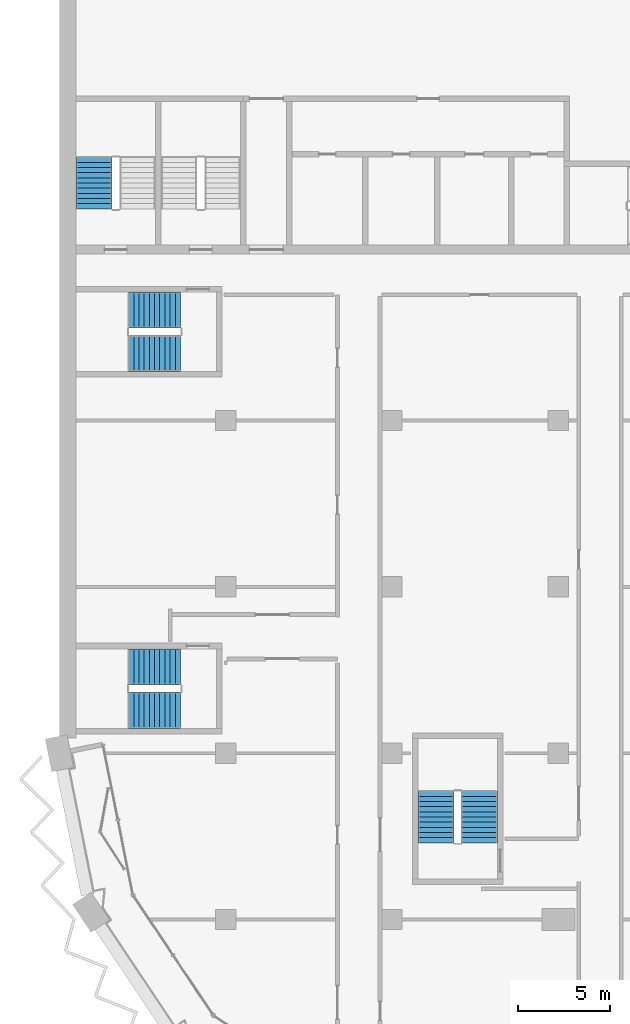
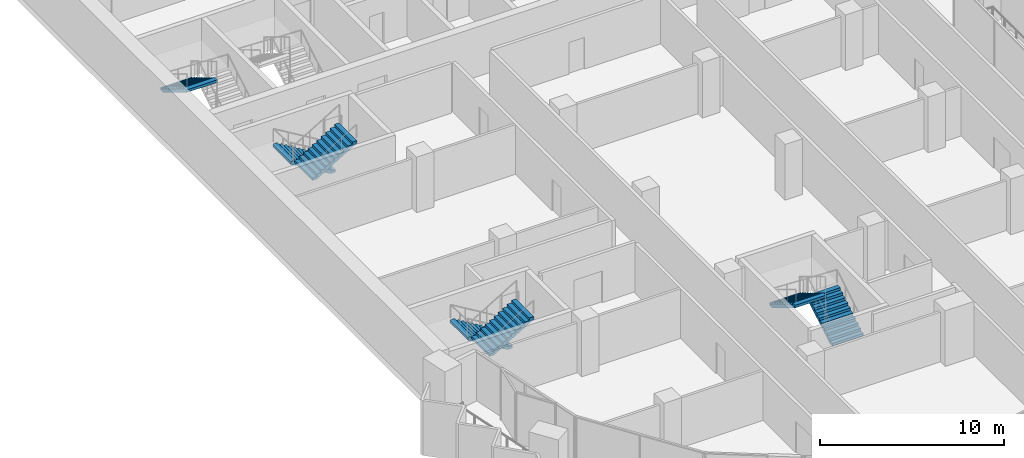
# One storey, part 13 of 19: 7 stair flights, 4 elements without a shape of their own.
"""IFC4 building model written with IfcOpenShell, lengths in metres."""

from ifc_helpers import new_model, si_unit, direction, frame, origin, place, context, subcontext, project, spatial, polyline, outline, extrude, material, type_object, element, aggregate, save


model = new_model("IFC4")

# Units and contexts
model_context = context("Model", 3, precision=1e-05, world=origin(), true_north=direction((0.0, 1.0)))
body_context = subcontext(model_context, "Body", "Model", "MODEL_VIEW")
ifc_project = project(units=[si_unit("LENGTHUNIT", "METRE"), si_unit("AREAUNIT", "SQUARE_METRE"), si_unit("VOLUMEUNIT", "CUBIC_METRE"), si_unit("PLANEANGLEUNIT", "RADIAN"), si_unit("MASSUNIT", "GRAM", prefix="KILO")], contexts=[model_context])

# Site, building, storey
site_placement = place(None, origin())
site = spatial("IfcSite", under=ifc_project, at=site_placement, CompositionType="ELEMENT")
building_placement = place(site_placement, origin())
building = spatial("IfcBuilding", under=site, at=building_placement, Name="Hunhe Ridgeline Campus", CompositionType="ELEMENT")
storey_placement = place(building_placement, frame((0.0, 0.0, 219.800048828125)))
storey = spatial("IfcBuildingStorey", under=building, at=storey_placement, Name="L56", CompositionType="ELEMENT", Elevation=219.800048828125)

# Stair, stair flight
ifc_material = material(Name="Concrete C40", Category="concrete")
stair_type = type_object("IfcStairType", Name="Reinforced concrete dog-leg stair 1950 Concrete C40", PredefinedType="HALF_TURN_STAIR", material=ifc_material)
stair_1_placement = place(storey_placement, origin())
stair_1 = element("IfcStair", 1, at=stair_1_placement, inside=storey, type_object=stair_type, Name="L56 S3", PredefinedType="HALF_TURN_STAIR")
stair_flight_type = type_object("IfcStairFlightType", Name="Reinforced concrete stair flight 1950 Concrete C40", PredefinedType="STRAIGHT", material=ifc_material)
stair_flight_1_placement = place(storey_placement, frame((1.875, 68.25, 1.849853515625), z_axis=(0.0, 0.0, 1.0), x_axis=(0.0, -1.0, 0.0)))
stair_flight_1 = element("IfcStairFlight", 2, at=stair_flight_1_placement, type_object=stair_flight_type, Name="ST3 flight 2", NumberOfRisers=11, NumberOfTreads=10, PredefinedType="STRAIGHT", RiserHeight=0.168181818, TreadLength=0.28, context=body_context, shape_type="SweptSolid", body=[
    extrude(outline(polyline([(0.0, 0.0), (0.0, 0.168212890625), (0.280029296875, 0.168212890625), (0.280029296875, 0.33642578125), (0.56005859375, 0.33642578125), (0.56005859375, 0.504638671875), (0.840087890625, 0.504638671875), (0.840087890625, 0.672607421875), (1.1201171875, 0.672607421875), (1.1201171875, 0.8408203125), (1.39990234375, 0.8408203125), (1.39990234375, 1.009033203125), (1.679931640625, 1.009033203125), (1.679931640625, 1.17724609375), (1.9599609375, 1.17724609375), (1.9599609375, 1.345458984375), (2.239990234375, 1.345458984375), (2.239990234375, 1.513671875), (2.52001953125, 1.513671875), (2.52001953125, 1.681884765625), (2.800048828125, 1.681884765625), (2.800048828125, 1.85009765625), (2.800048828125, 1.5068359375), (0.291015625, 0.0), (0.0, 0.0)])), frame((0.0, 0.97509765625, 0.0), z_axis=(0.0, -1.0, 0.0), x_axis=(1.0, 0.0, 0.0)), (0.0, 0.0, 1.0), 1.949951171875),
    extrude(outline(polyline([(0.030029296875, 0.030029296875), (0.030029296875, 0.13818359375), (0.31005859375, 0.13818359375), (0.31005859375, 0.306396484375), (0.590087890625, 0.306396484375), (0.590087890625, 0.474609375), (0.8701171875, 0.474609375), (0.8701171875, 0.642578125), (1.14990234375, 0.642578125), (1.14990234375, 0.810791015625), (1.429931640625, 0.810791015625), (1.429931640625, 0.97900390625), (1.7099609375, 0.97900390625), (1.7099609375, 1.147216796875), (1.989990234375, 1.147216796875), (1.989990234375, 1.3154296875), (2.27001953125, 1.3154296875), (2.27001953125, 1.483642578125), (2.550048828125, 1.483642578125), (2.550048828125, 1.65185546875), (2.77001953125, 1.65185546875), (2.77001953125, 1.52392578125), (0.28271484375, 0.030029296875), (0.030029296875, 0.030029296875)])), frame((0.0, -0.070068359375, 0.0), z_axis=(0.0, -1.0, 0.0), x_axis=(1.0, 0.0, 0.0)), (0.0, 0.0, 1.0), 0.019775390625),
    extrude(outline(polyline([(0.030029296875, 0.030029296875), (0.030029296875, 0.13818359375), (0.31005859375, 0.13818359375), (0.31005859375, 0.306396484375), (0.590087890625, 0.306396484375), (0.590087890625, 0.474609375), (0.8701171875, 0.474609375), (0.8701171875, 0.642578125), (1.14990234375, 0.642578125), (1.14990234375, 0.810791015625), (1.429931640625, 0.810791015625), (1.429931640625, 0.97900390625), (1.7099609375, 0.97900390625), (1.7099609375, 1.147216796875), (1.989990234375, 1.147216796875), (1.989990234375, 1.3154296875), (2.27001953125, 1.3154296875), (2.27001953125, 1.483642578125), (2.550048828125, 1.483642578125), (2.550048828125, 1.65185546875), (2.77001953125, 1.65185546875), (2.77001953125, 1.52392578125), (0.28271484375, 0.030029296875), (0.030029296875, 0.030029296875)])), frame((0.0, 0.010009765625, 0.0), z_axis=(0.0, -1.0, 0.0), x_axis=(1.0, 0.0, 0.0)), (0.0, 0.0, 1.0), 0.019775390625),
    extrude(outline(polyline([(0.030029296875, 0.030029296875), (0.030029296875, 0.13818359375), (0.31005859375, 0.13818359375), (0.31005859375, 0.306396484375), (0.590087890625, 0.306396484375), (0.590087890625, 0.474609375), (0.8701171875, 0.474609375), (0.8701171875, 0.642578125), (1.14990234375, 0.642578125), (1.14990234375, 0.810791015625), (1.429931640625, 0.810791015625), (1.429931640625, 0.97900390625), (1.7099609375, 0.97900390625), (1.7099609375, 1.147216796875), (1.989990234375, 1.147216796875), (1.989990234375, 1.3154296875), (2.27001953125, 1.3154296875), (2.27001953125, 1.483642578125), (2.550048828125, 1.483642578125), (2.550048828125, 1.65185546875), (2.77001953125, 1.65185546875), (2.77001953125, 1.52392578125), (0.28271484375, 0.030029296875), (0.030029296875, 0.030029296875)])), frame((0.0, 0.090087890625, 0.0), z_axis=(0.0, -1.0, 0.0), x_axis=(1.0, 0.0, 0.0)), (0.0, 0.0, 1.0), 0.019775390625),
])
aggregate(stair_1, [stair_flight_1])

# Stair, stair flights
stair_2_placement = place(storey_placement, origin())
stair_2 = element("IfcStair", 3, at=stair_2_placement, inside=storey, type_object=stair_type, Name="L56 W3", PredefinedType="HALF_TURN_STAIR")
stair_flight_2_placement = place(storey_placement, frame((22.72509765625, 31.14990234375, 0.0), z_axis=(0.0, 0.0, 1.0), x_axis=(0.0, 1.0, 0.0)))
stair_flight_2 = element("IfcStairFlight", 4, at=stair_flight_2_placement, type_object=stair_flight_type, Name="ST9 flight 1", NumberOfRisers=11, NumberOfTreads=10, PredefinedType="STRAIGHT", RiserHeight=0.168181818, TreadLength=0.28, context=body_context, shape_type="SweptSolid", body=[
    extrude(outline(polyline([(0.0, 0.0), (0.0, 0.168212890625), (0.280029296875, 0.168212890625), (0.280029296875, 0.33642578125), (0.56005859375, 0.33642578125), (0.56005859375, 0.504638671875), (0.840087890625, 0.504638671875), (0.840087890625, 0.672607421875), (1.1201171875, 0.672607421875), (1.1201171875, 0.8408203125), (1.39990234375, 0.8408203125), (1.39990234375, 1.009033203125), (1.679931640625, 1.009033203125), (1.679931640625, 1.17724609375), (1.9599609375, 1.17724609375), (1.9599609375, 1.345458984375), (2.239990234375, 1.345458984375), (2.239990234375, 1.513671875), (2.52001953125, 1.513671875), (2.52001953125, 1.681884765625), (2.800048828125, 1.681884765625), (2.800048828125, 1.85009765625), (2.800048828125, 1.5068359375), (0.291015625, 0.0), (0.0, 0.0)])), frame((0.0, 0.97509765625, 0.0), z_axis=(0.0, -1.0, 0.0), x_axis=(1.0, 0.0, 0.0)), (0.0, 0.0, 1.0), 1.949951171875),
    extrude(outline(polyline([(0.030029296875, 0.030029296875), (0.030029296875, 0.13818359375), (0.31005859375, 0.13818359375), (0.31005859375, 0.306396484375), (0.590087890625, 0.306396484375), (0.590087890625, 0.474609375), (0.8701171875, 0.474609375), (0.8701171875, 0.642578125), (1.14990234375, 0.642578125), (1.14990234375, 0.810791015625), (1.429931640625, 0.810791015625), (1.429931640625, 0.97900390625), (1.7099609375, 0.97900390625), (1.7099609375, 1.147216796875), (1.989990234375, 1.147216796875), (1.989990234375, 1.3154296875), (2.27001953125, 1.3154296875), (2.27001953125, 1.483642578125), (2.550048828125, 1.483642578125), (2.550048828125, 1.65185546875), (2.77001953125, 1.65185546875), (2.77001953125, 1.52392578125), (0.28271484375, 0.030029296875), (0.030029296875, 0.030029296875)])), frame((0.0, -0.070068359375, 0.0), z_axis=(0.0, -1.0, 0.0), x_axis=(1.0, 0.0, 0.0)), (0.0, 0.0, 1.0), 0.019775390625),
    extrude(outline(polyline([(0.030029296875, 0.030029296875), (0.030029296875, 0.13818359375), (0.31005859375, 0.13818359375), (0.31005859375, 0.306396484375), (0.590087890625, 0.306396484375), (0.590087890625, 0.474609375), (0.8701171875, 0.474609375), (0.8701171875, 0.642578125), (1.14990234375, 0.642578125), (1.14990234375, 0.810791015625), (1.429931640625, 0.810791015625), (1.429931640625, 0.97900390625), (1.7099609375, 0.97900390625), (1.7099609375, 1.147216796875), (1.989990234375, 1.147216796875), (1.989990234375, 1.3154296875), (2.27001953125, 1.3154296875), (2.27001953125, 1.483642578125), (2.550048828125, 1.483642578125), (2.550048828125, 1.65185546875), (2.77001953125, 1.65185546875), (2.77001953125, 1.52392578125), (0.28271484375, 0.030029296875), (0.030029296875, 0.030029296875)])), frame((0.0, 0.010009765625, 0.0), z_axis=(0.0, -1.0, 0.0), x_axis=(1.0, 0.0, 0.0)), (0.0, 0.0, 1.0), 0.019775390625),
    extrude(outline(polyline([(0.030029296875, 0.030029296875), (0.030029296875, 0.13818359375), (0.31005859375, 0.13818359375), (0.31005859375, 0.306396484375), (0.590087890625, 0.306396484375), (0.590087890625, 0.474609375), (0.8701171875, 0.474609375), (0.8701171875, 0.642578125), (1.14990234375, 0.642578125), (1.14990234375, 0.810791015625), (1.429931640625, 0.810791015625), (1.429931640625, 0.97900390625), (1.7099609375, 0.97900390625), (1.7099609375, 1.147216796875), (1.989990234375, 1.147216796875), (1.989990234375, 1.3154296875), (2.27001953125, 1.3154296875), (2.27001953125, 1.483642578125), (2.550048828125, 1.483642578125), (2.550048828125, 1.65185546875), (2.77001953125, 1.65185546875), (2.77001953125, 1.52392578125), (0.28271484375, 0.030029296875), (0.030029296875, 0.030029296875)])), frame((0.0, 0.090087890625, 0.0), z_axis=(0.0, -1.0, 0.0), x_axis=(1.0, 0.0, 0.0)), (0.0, 0.0, 1.0), 0.019775390625),
])
stair_flight_3_placement = place(storey_placement, frame((20.375, 33.949951171875, 1.849853515625), z_axis=(0.0, 0.0, 1.0), x_axis=(0.0, -1.0, 0.0)))
stair_flight_3 = element("IfcStairFlight", 5, at=stair_flight_3_placement, type_object=stair_flight_type, Name="ST9 flight 2", NumberOfRisers=11, NumberOfTreads=10, PredefinedType="STRAIGHT", RiserHeight=0.168181818, TreadLength=0.28, context=body_context, shape_type="SweptSolid", body=[
    extrude(outline(polyline([(0.0, 0.0), (0.0, 0.168212890625), (0.280029296875, 0.168212890625), (0.280029296875, 0.33642578125), (0.56005859375, 0.33642578125), (0.56005859375, 0.504638671875), (0.840087890625, 0.504638671875), (0.840087890625, 0.672607421875), (1.1201171875, 0.672607421875), (1.1201171875, 0.8408203125), (1.39990234375, 0.8408203125), (1.39990234375, 1.009033203125), (1.679931640625, 1.009033203125), (1.679931640625, 1.17724609375), (1.9599609375, 1.17724609375), (1.9599609375, 1.345458984375), (2.239990234375, 1.345458984375), (2.239990234375, 1.513671875), (2.52001953125, 1.513671875), (2.52001953125, 1.681884765625), (2.800048828125, 1.681884765625), (2.800048828125, 1.85009765625), (2.800048828125, 1.5068359375), (0.291015625, 0.0), (0.0, 0.0)])), frame((0.0, 0.97509765625, 0.0), z_axis=(0.0, -1.0, 0.0), x_axis=(1.0, 0.0, 0.0)), (0.0, 0.0, 1.0), 1.949951171875),
    extrude(outline(polyline([(0.030029296875, 0.030029296875), (0.030029296875, 0.13818359375), (0.31005859375, 0.13818359375), (0.31005859375, 0.306396484375), (0.590087890625, 0.306396484375), (0.590087890625, 0.474609375), (0.8701171875, 0.474609375), (0.8701171875, 0.642578125), (1.14990234375, 0.642578125), (1.14990234375, 0.810791015625), (1.429931640625, 0.810791015625), (1.429931640625, 0.97900390625), (1.7099609375, 0.97900390625), (1.7099609375, 1.147216796875), (1.989990234375, 1.147216796875), (1.989990234375, 1.3154296875), (2.27001953125, 1.3154296875), (2.27001953125, 1.483642578125), (2.550048828125, 1.483642578125), (2.550048828125, 1.65185546875), (2.77001953125, 1.65185546875), (2.77001953125, 1.52392578125), (0.28271484375, 0.030029296875), (0.030029296875, 0.030029296875)])), frame((0.0, -0.070068359375, 0.0), z_axis=(0.0, -1.0, 0.0), x_axis=(1.0, 0.0, 0.0)), (0.0, 0.0, 1.0), 0.019775390625),
    extrude(outline(polyline([(0.030029296875, 0.030029296875), (0.030029296875, 0.13818359375), (0.31005859375, 0.13818359375), (0.31005859375, 0.306396484375), (0.590087890625, 0.306396484375), (0.590087890625, 0.474609375), (0.8701171875, 0.474609375), (0.8701171875, 0.642578125), (1.14990234375, 0.642578125), (1.14990234375, 0.810791015625), (1.429931640625, 0.810791015625), (1.429931640625, 0.97900390625), (1.7099609375, 0.97900390625), (1.7099609375, 1.147216796875), (1.989990234375, 1.147216796875), (1.989990234375, 1.3154296875), (2.27001953125, 1.3154296875), (2.27001953125, 1.483642578125), (2.550048828125, 1.483642578125), (2.550048828125, 1.65185546875), (2.77001953125, 1.65185546875), (2.77001953125, 1.52392578125), (0.28271484375, 0.030029296875), (0.030029296875, 0.030029296875)])), frame((0.0, 0.010009765625, 0.0), z_axis=(0.0, -1.0, 0.0), x_axis=(1.0, 0.0, 0.0)), (0.0, 0.0, 1.0), 0.019775390625),
    extrude(outline(polyline([(0.030029296875, 0.030029296875), (0.030029296875, 0.13818359375), (0.31005859375, 0.13818359375), (0.31005859375, 0.306396484375), (0.590087890625, 0.306396484375), (0.590087890625, 0.474609375), (0.8701171875, 0.474609375), (0.8701171875, 0.642578125), (1.14990234375, 0.642578125), (1.14990234375, 0.810791015625), (1.429931640625, 0.810791015625), (1.429931640625, 0.97900390625), (1.7099609375, 0.97900390625), (1.7099609375, 1.147216796875), (1.989990234375, 1.147216796875), (1.989990234375, 1.3154296875), (2.27001953125, 1.3154296875), (2.27001953125, 1.483642578125), (2.550048828125, 1.483642578125), (2.550048828125, 1.65185546875), (2.77001953125, 1.65185546875), (2.77001953125, 1.52392578125), (0.28271484375, 0.030029296875), (0.030029296875, 0.030029296875)])), frame((0.0, 0.090087890625, 0.0), z_axis=(0.0, -1.0, 0.0), x_axis=(1.0, 0.0, 0.0)), (0.0, 0.0, 1.0), 0.019775390625),
])
aggregate(stair_2, [stair_flight_2, stair_flight_3])

stair_3_placement = place(storey_placement, origin())
stair_3 = element("IfcStair", 6, at=stair_3_placement, inside=storey, type_object=stair_type, Name="L56 W1", PredefinedType="HALF_TURN_STAIR")
stair_flight_4_placement = place(storey_placement, frame((6.550048828125, 40.675048828125, 0.0), z_axis=(0.0, 0.0, 1.0), x_axis=(-1.0, 0.0, 0.0)))
stair_flight_4 = element("IfcStairFlight", 7, at=stair_flight_4_placement, type_object=stair_flight_type, Name="ST11 flight 1", NumberOfRisers=11, NumberOfTreads=10, PredefinedType="STRAIGHT", RiserHeight=0.168181818, TreadLength=0.28, context=body_context, shape_type="SweptSolid", body=[
    extrude(outline(polyline([(0.0, 0.0), (0.0, 0.168212890625), (0.280029296875, 0.168212890625), (0.280029296875, 0.33642578125), (0.56005859375, 0.33642578125), (0.56005859375, 0.504638671875), (0.840087890625, 0.504638671875), (0.840087890625, 0.672607421875), (1.1201171875, 0.672607421875), (1.1201171875, 0.8408203125), (1.39990234375, 0.8408203125), (1.39990234375, 1.009033203125), (1.679931640625, 1.009033203125), (1.679931640625, 1.17724609375), (1.9599609375, 1.17724609375), (1.9599609375, 1.345458984375), (2.239990234375, 1.345458984375), (2.239990234375, 1.513671875), (2.52001953125, 1.513671875), (2.52001953125, 1.681884765625), (2.800048828125, 1.681884765625), (2.800048828125, 1.85009765625), (2.800048828125, 1.5068359375), (0.291015625, 0.0), (0.0, 0.0)])), frame((0.0, 0.97509765625, 0.0), z_axis=(0.0, -1.0, 0.0), x_axis=(1.0, 0.0, 0.0)), (0.0, 0.0, 1.0), 1.949951171875),
    extrude(outline(polyline([(0.030029296875, 0.030029296875), (0.030029296875, 0.13818359375), (0.31005859375, 0.13818359375), (0.31005859375, 0.306396484375), (0.590087890625, 0.306396484375), (0.590087890625, 0.474609375), (0.8701171875, 0.474609375), (0.8701171875, 0.642578125), (1.14990234375, 0.642578125), (1.14990234375, 0.810791015625), (1.429931640625, 0.810791015625), (1.429931640625, 0.97900390625), (1.7099609375, 0.97900390625), (1.7099609375, 1.147216796875), (1.989990234375, 1.147216796875), (1.989990234375, 1.3154296875), (2.27001953125, 1.3154296875), (2.27001953125, 1.483642578125), (2.550048828125, 1.483642578125), (2.550048828125, 1.65185546875), (2.77001953125, 1.65185546875), (2.77001953125, 1.52392578125), (0.28271484375, 0.030029296875), (0.030029296875, 0.030029296875)])), frame((0.0, -0.070068359375, 0.0), z_axis=(0.0, -1.0, 0.0), x_axis=(1.0, 0.0, 0.0)), (0.0, 0.0, 1.0), 0.019775390625),
    extrude(outline(polyline([(0.030029296875, 0.030029296875), (0.030029296875, 0.13818359375), (0.31005859375, 0.13818359375), (0.31005859375, 0.306396484375), (0.590087890625, 0.306396484375), (0.590087890625, 0.474609375), (0.8701171875, 0.474609375), (0.8701171875, 0.642578125), (1.14990234375, 0.642578125), (1.14990234375, 0.810791015625), (1.429931640625, 0.810791015625), (1.429931640625, 0.97900390625), (1.7099609375, 0.97900390625), (1.7099609375, 1.147216796875), (1.989990234375, 1.147216796875), (1.989990234375, 1.3154296875), (2.27001953125, 1.3154296875), (2.27001953125, 1.483642578125), (2.550048828125, 1.483642578125), (2.550048828125, 1.65185546875), (2.77001953125, 1.65185546875), (2.77001953125, 1.52392578125), (0.28271484375, 0.030029296875), (0.030029296875, 0.030029296875)])), frame((0.0, 0.010009765625, 0.0), z_axis=(0.0, -1.0, 0.0), x_axis=(1.0, 0.0, 0.0)), (0.0, 0.0, 1.0), 0.019775390625),
    extrude(outline(polyline([(0.030029296875, 0.030029296875), (0.030029296875, 0.13818359375), (0.31005859375, 0.13818359375), (0.31005859375, 0.306396484375), (0.590087890625, 0.306396484375), (0.590087890625, 0.474609375), (0.8701171875, 0.474609375), (0.8701171875, 0.642578125), (1.14990234375, 0.642578125), (1.14990234375, 0.810791015625), (1.429931640625, 0.810791015625), (1.429931640625, 0.97900390625), (1.7099609375, 0.97900390625), (1.7099609375, 1.147216796875), (1.989990234375, 1.147216796875), (1.989990234375, 1.3154296875), (2.27001953125, 1.3154296875), (2.27001953125, 1.483642578125), (2.550048828125, 1.483642578125), (2.550048828125, 1.65185546875), (2.77001953125, 1.65185546875), (2.77001953125, 1.52392578125), (0.28271484375, 0.030029296875), (0.030029296875, 0.030029296875)])), frame((0.0, 0.090087890625, 0.0), z_axis=(0.0, -1.0, 0.0), x_axis=(1.0, 0.0, 0.0)), (0.0, 0.0, 1.0), 0.019775390625),
])
stair_flight_5_placement = place(storey_placement, frame((3.75, 38.324951171875, 1.849853515625), z_axis=(0.0, 0.0, 1.0), x_axis=(1.0, 0.0, 0.0)))
stair_flight_5 = element("IfcStairFlight", 8, at=stair_flight_5_placement, type_object=stair_flight_type, Name="ST11 flight 2", NumberOfRisers=11, NumberOfTreads=10, PredefinedType="STRAIGHT", RiserHeight=0.168181818, TreadLength=0.28, context=body_context, shape_type="SweptSolid", body=[
    extrude(outline(polyline([(0.0, 0.0), (0.0, 0.168212890625), (0.280029296875, 0.168212890625), (0.280029296875, 0.33642578125), (0.56005859375, 0.33642578125), (0.56005859375, 0.504638671875), (0.840087890625, 0.504638671875), (0.840087890625, 0.672607421875), (1.1201171875, 0.672607421875), (1.1201171875, 0.8408203125), (1.39990234375, 0.8408203125), (1.39990234375, 1.009033203125), (1.679931640625, 1.009033203125), (1.679931640625, 1.17724609375), (1.9599609375, 1.17724609375), (1.9599609375, 1.345458984375), (2.239990234375, 1.345458984375), (2.239990234375, 1.513671875), (2.52001953125, 1.513671875), (2.52001953125, 1.681884765625), (2.800048828125, 1.681884765625), (2.800048828125, 1.85009765625), (2.800048828125, 1.5068359375), (0.291015625, 0.0), (0.0, 0.0)])), frame((0.0, 0.97509765625, 0.0), z_axis=(0.0, -1.0, 0.0), x_axis=(1.0, 0.0, 0.0)), (0.0, 0.0, 1.0), 1.949951171875),
    extrude(outline(polyline([(0.030029296875, 0.030029296875), (0.030029296875, 0.13818359375), (0.31005859375, 0.13818359375), (0.31005859375, 0.306396484375), (0.590087890625, 0.306396484375), (0.590087890625, 0.474609375), (0.8701171875, 0.474609375), (0.8701171875, 0.642578125), (1.14990234375, 0.642578125), (1.14990234375, 0.810791015625), (1.429931640625, 0.810791015625), (1.429931640625, 0.97900390625), (1.7099609375, 0.97900390625), (1.7099609375, 1.147216796875), (1.989990234375, 1.147216796875), (1.989990234375, 1.3154296875), (2.27001953125, 1.3154296875), (2.27001953125, 1.483642578125), (2.550048828125, 1.483642578125), (2.550048828125, 1.65185546875), (2.77001953125, 1.65185546875), (2.77001953125, 1.52392578125), (0.28271484375, 0.030029296875), (0.030029296875, 0.030029296875)])), frame((0.0, -0.070068359375, 0.0), z_axis=(0.0, -1.0, 0.0), x_axis=(1.0, 0.0, 0.0)), (0.0, 0.0, 1.0), 0.019775390625),
    extrude(outline(polyline([(0.030029296875, 0.030029296875), (0.030029296875, 0.13818359375), (0.31005859375, 0.13818359375), (0.31005859375, 0.306396484375), (0.590087890625, 0.306396484375), (0.590087890625, 0.474609375), (0.8701171875, 0.474609375), (0.8701171875, 0.642578125), (1.14990234375, 0.642578125), (1.14990234375, 0.810791015625), (1.429931640625, 0.810791015625), (1.429931640625, 0.97900390625), (1.7099609375, 0.97900390625), (1.7099609375, 1.147216796875), (1.989990234375, 1.147216796875), (1.989990234375, 1.3154296875), (2.27001953125, 1.3154296875), (2.27001953125, 1.483642578125), (2.550048828125, 1.483642578125), (2.550048828125, 1.65185546875), (2.77001953125, 1.65185546875), (2.77001953125, 1.52392578125), (0.28271484375, 0.030029296875), (0.030029296875, 0.030029296875)])), frame((0.0, 0.010009765625, 0.0), z_axis=(0.0, -1.0, 0.0), x_axis=(1.0, 0.0, 0.0)), (0.0, 0.0, 1.0), 0.019775390625),
    extrude(outline(polyline([(0.030029296875, 0.030029296875), (0.030029296875, 0.13818359375), (0.31005859375, 0.13818359375), (0.31005859375, 0.306396484375), (0.590087890625, 0.306396484375), (0.590087890625, 0.474609375), (0.8701171875, 0.474609375), (0.8701171875, 0.642578125), (1.14990234375, 0.642578125), (1.14990234375, 0.810791015625), (1.429931640625, 0.810791015625), (1.429931640625, 0.97900390625), (1.7099609375, 0.97900390625), (1.7099609375, 1.147216796875), (1.989990234375, 1.147216796875), (1.989990234375, 1.3154296875), (2.27001953125, 1.3154296875), (2.27001953125, 1.483642578125), (2.550048828125, 1.483642578125), (2.550048828125, 1.65185546875), (2.77001953125, 1.65185546875), (2.77001953125, 1.52392578125), (0.28271484375, 0.030029296875), (0.030029296875, 0.030029296875)])), frame((0.0, 0.090087890625, 0.0), z_axis=(0.0, -1.0, 0.0), x_axis=(1.0, 0.0, 0.0)), (0.0, 0.0, 1.0), 0.019775390625),
])
aggregate(stair_3, [stair_flight_4, stair_flight_5])

stair_4_placement = place(storey_placement, origin())
stair_4 = element("IfcStair", 9, at=stair_4_placement, inside=storey, type_object=stair_type, Name="L56 W2", PredefinedType="HALF_TURN_STAIR")
stair_flight_6_placement = place(storey_placement, frame((6.550048828125, 59.97509765625, 0.0), z_axis=(0.0, 0.0, 1.0), x_axis=(-1.0, 0.0, 0.0)))
stair_flight_6 = element("IfcStairFlight", 10, at=stair_flight_6_placement, type_object=stair_flight_type, Name="ST12 flight 1", NumberOfRisers=11, NumberOfTreads=10, PredefinedType="STRAIGHT", RiserHeight=0.168181818, TreadLength=0.28, context=body_context, shape_type="SweptSolid", body=[
    extrude(outline(polyline([(0.0, 0.0), (0.0, 0.168212890625), (0.280029296875, 0.168212890625), (0.280029296875, 0.33642578125), (0.56005859375, 0.33642578125), (0.56005859375, 0.504638671875), (0.840087890625, 0.504638671875), (0.840087890625, 0.672607421875), (1.1201171875, 0.672607421875), (1.1201171875, 0.8408203125), (1.39990234375, 0.8408203125), (1.39990234375, 1.009033203125), (1.679931640625, 1.009033203125), (1.679931640625, 1.17724609375), (1.9599609375, 1.17724609375), (1.9599609375, 1.345458984375), (2.239990234375, 1.345458984375), (2.239990234375, 1.513671875), (2.52001953125, 1.513671875), (2.52001953125, 1.681884765625), (2.800048828125, 1.681884765625), (2.800048828125, 1.85009765625), (2.800048828125, 1.5068359375), (0.291015625, 0.0), (0.0, 0.0)])), frame((0.0, 0.97509765625, 0.0), z_axis=(0.0, -1.0, 0.0), x_axis=(1.0, 0.0, 0.0)), (0.0, 0.0, 1.0), 1.949951171875),
    extrude(outline(polyline([(0.030029296875, 0.030029296875), (0.030029296875, 0.13818359375), (0.31005859375, 0.13818359375), (0.31005859375, 0.306396484375), (0.590087890625, 0.306396484375), (0.590087890625, 0.474609375), (0.8701171875, 0.474609375), (0.8701171875, 0.642578125), (1.14990234375, 0.642578125), (1.14990234375, 0.810791015625), (1.429931640625, 0.810791015625), (1.429931640625, 0.97900390625), (1.7099609375, 0.97900390625), (1.7099609375, 1.147216796875), (1.989990234375, 1.147216796875), (1.989990234375, 1.3154296875), (2.27001953125, 1.3154296875), (2.27001953125, 1.483642578125), (2.550048828125, 1.483642578125), (2.550048828125, 1.65185546875), (2.77001953125, 1.65185546875), (2.77001953125, 1.52392578125), (0.28271484375, 0.030029296875), (0.030029296875, 0.030029296875)])), frame((0.0, -0.070068359375, 0.0), z_axis=(0.0, -1.0, 0.0), x_axis=(1.0, 0.0, 0.0)), (0.0, 0.0, 1.0), 0.019775390625),
    extrude(outline(polyline([(0.030029296875, 0.030029296875), (0.030029296875, 0.13818359375), (0.31005859375, 0.13818359375), (0.31005859375, 0.306396484375), (0.590087890625, 0.306396484375), (0.590087890625, 0.474609375), (0.8701171875, 0.474609375), (0.8701171875, 0.642578125), (1.14990234375, 0.642578125), (1.14990234375, 0.810791015625), (1.429931640625, 0.810791015625), (1.429931640625, 0.97900390625), (1.7099609375, 0.97900390625), (1.7099609375, 1.147216796875), (1.989990234375, 1.147216796875), (1.989990234375, 1.3154296875), (2.27001953125, 1.3154296875), (2.27001953125, 1.483642578125), (2.550048828125, 1.483642578125), (2.550048828125, 1.65185546875), (2.77001953125, 1.65185546875), (2.77001953125, 1.52392578125), (0.28271484375, 0.030029296875), (0.030029296875, 0.030029296875)])), frame((0.0, 0.010009765625, 0.0), z_axis=(0.0, -1.0, 0.0), x_axis=(1.0, 0.0, 0.0)), (0.0, 0.0, 1.0), 0.019775390625),
    extrude(outline(polyline([(0.030029296875, 0.030029296875), (0.030029296875, 0.13818359375), (0.31005859375, 0.13818359375), (0.31005859375, 0.306396484375), (0.590087890625, 0.306396484375), (0.590087890625, 0.474609375), (0.8701171875, 0.474609375), (0.8701171875, 0.642578125), (1.14990234375, 0.642578125), (1.14990234375, 0.810791015625), (1.429931640625, 0.810791015625), (1.429931640625, 0.97900390625), (1.7099609375, 0.97900390625), (1.7099609375, 1.147216796875), (1.989990234375, 1.147216796875), (1.989990234375, 1.3154296875), (2.27001953125, 1.3154296875), (2.27001953125, 1.483642578125), (2.550048828125, 1.483642578125), (2.550048828125, 1.65185546875), (2.77001953125, 1.65185546875), (2.77001953125, 1.52392578125), (0.28271484375, 0.030029296875), (0.030029296875, 0.030029296875)])), frame((0.0, 0.090087890625, 0.0), z_axis=(0.0, -1.0, 0.0), x_axis=(1.0, 0.0, 0.0)), (0.0, 0.0, 1.0), 0.019775390625),
])
stair_flight_7_placement = place(storey_placement, frame((3.75, 57.625, 1.849853515625), z_axis=(0.0, 0.0, 1.0), x_axis=(1.0, 0.0, 0.0)))
stair_flight_7 = element("IfcStairFlight", 11, at=stair_flight_7_placement, type_object=stair_flight_type, Name="ST12 flight 2", NumberOfRisers=11, NumberOfTreads=10, PredefinedType="STRAIGHT", RiserHeight=0.168181818, TreadLength=0.28, context=body_context, shape_type="SweptSolid", body=[
    extrude(outline(polyline([(0.0, 0.0), (0.0, 0.168212890625), (0.280029296875, 0.168212890625), (0.280029296875, 0.33642578125), (0.56005859375, 0.33642578125), (0.56005859375, 0.504638671875), (0.840087890625, 0.504638671875), (0.840087890625, 0.672607421875), (1.1201171875, 0.672607421875), (1.1201171875, 0.8408203125), (1.39990234375, 0.8408203125), (1.39990234375, 1.009033203125), (1.679931640625, 1.009033203125), (1.679931640625, 1.17724609375), (1.9599609375, 1.17724609375), (1.9599609375, 1.345458984375), (2.239990234375, 1.345458984375), (2.239990234375, 1.513671875), (2.52001953125, 1.513671875), (2.52001953125, 1.681884765625), (2.800048828125, 1.681884765625), (2.800048828125, 1.85009765625), (2.800048828125, 1.5068359375), (0.291015625, 0.0), (0.0, 0.0)])), frame((0.0, 0.97509765625, 0.0), z_axis=(0.0, -1.0, 0.0), x_axis=(1.0, 0.0, 0.0)), (0.0, 0.0, 1.0), 1.949951171875),
    extrude(outline(polyline([(0.030029296875, 0.030029296875), (0.030029296875, 0.13818359375), (0.31005859375, 0.13818359375), (0.31005859375, 0.306396484375), (0.590087890625, 0.306396484375), (0.590087890625, 0.474609375), (0.8701171875, 0.474609375), (0.8701171875, 0.642578125), (1.14990234375, 0.642578125), (1.14990234375, 0.810791015625), (1.429931640625, 0.810791015625), (1.429931640625, 0.97900390625), (1.7099609375, 0.97900390625), (1.7099609375, 1.147216796875), (1.989990234375, 1.147216796875), (1.989990234375, 1.3154296875), (2.27001953125, 1.3154296875), (2.27001953125, 1.483642578125), (2.550048828125, 1.483642578125), (2.550048828125, 1.65185546875), (2.77001953125, 1.65185546875), (2.77001953125, 1.52392578125), (0.28271484375, 0.030029296875), (0.030029296875, 0.030029296875)])), frame((0.0, -0.070068359375, 0.0), z_axis=(0.0, -1.0, 0.0), x_axis=(1.0, 0.0, 0.0)), (0.0, 0.0, 1.0), 0.019775390625),
    extrude(outline(polyline([(0.030029296875, 0.030029296875), (0.030029296875, 0.13818359375), (0.31005859375, 0.13818359375), (0.31005859375, 0.306396484375), (0.590087890625, 0.306396484375), (0.590087890625, 0.474609375), (0.8701171875, 0.474609375), (0.8701171875, 0.642578125), (1.14990234375, 0.642578125), (1.14990234375, 0.810791015625), (1.429931640625, 0.810791015625), (1.429931640625, 0.97900390625), (1.7099609375, 0.97900390625), (1.7099609375, 1.147216796875), (1.989990234375, 1.147216796875), (1.989990234375, 1.3154296875), (2.27001953125, 1.3154296875), (2.27001953125, 1.483642578125), (2.550048828125, 1.483642578125), (2.550048828125, 1.65185546875), (2.77001953125, 1.65185546875), (2.77001953125, 1.52392578125), (0.28271484375, 0.030029296875), (0.030029296875, 0.030029296875)])), frame((0.0, 0.010009765625, 0.0), z_axis=(0.0, -1.0, 0.0), x_axis=(1.0, 0.0, 0.0)), (0.0, 0.0, 1.0), 0.019775390625),
    extrude(outline(polyline([(0.030029296875, 0.030029296875), (0.030029296875, 0.13818359375), (0.31005859375, 0.13818359375), (0.31005859375, 0.306396484375), (0.590087890625, 0.306396484375), (0.590087890625, 0.474609375), (0.8701171875, 0.474609375), (0.8701171875, 0.642578125), (1.14990234375, 0.642578125), (1.14990234375, 0.810791015625), (1.429931640625, 0.810791015625), (1.429931640625, 0.97900390625), (1.7099609375, 0.97900390625), (1.7099609375, 1.147216796875), (1.989990234375, 1.147216796875), (1.989990234375, 1.3154296875), (2.27001953125, 1.3154296875), (2.27001953125, 1.483642578125), (2.550048828125, 1.483642578125), (2.550048828125, 1.65185546875), (2.77001953125, 1.65185546875), (2.77001953125, 1.52392578125), (0.28271484375, 0.030029296875), (0.030029296875, 0.030029296875)])), frame((0.0, 0.090087890625, 0.0), z_axis=(0.0, -1.0, 0.0), x_axis=(1.0, 0.0, 0.0)), (0.0, 0.0, 1.0), 0.019775390625),
])
aggregate(stair_4, [stair_flight_6, stair_flight_7])

save(model, "model.ifc")
